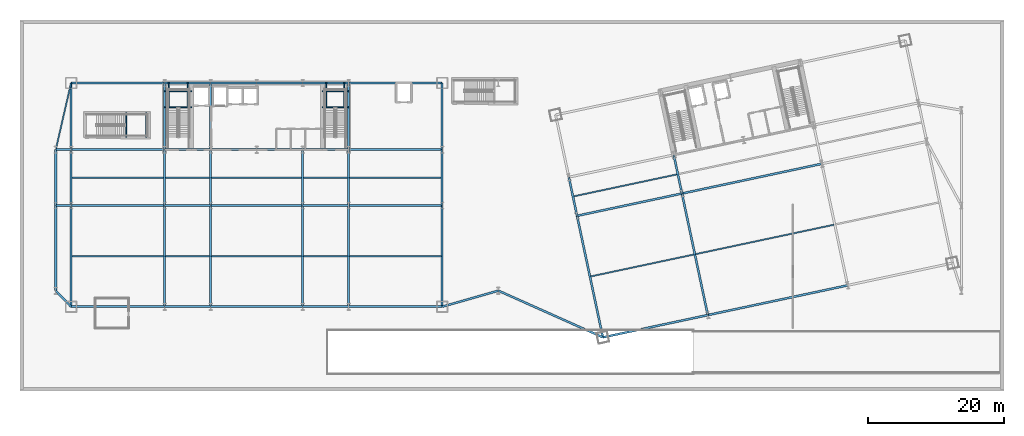
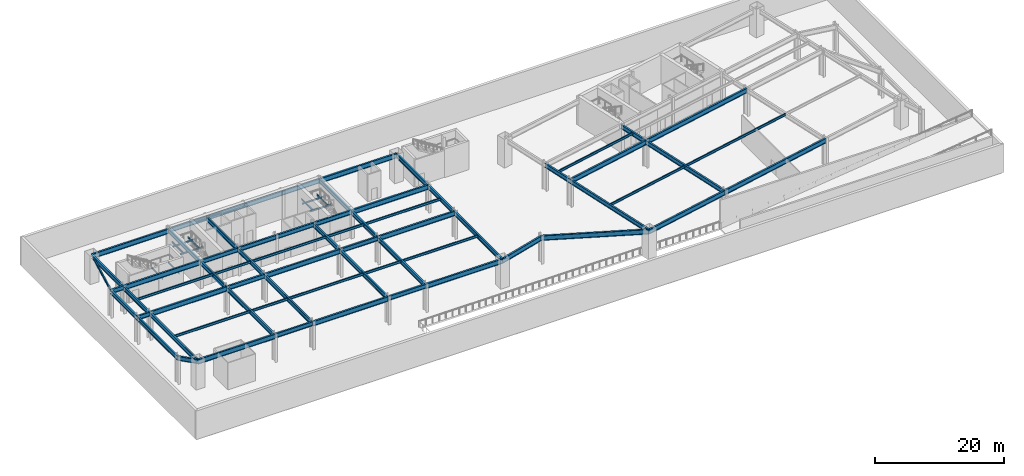
# One storey, part 3 of 16: 78 beams.
"""IFC4 building model written with IfcOpenShell, lengths in metres."""

import ifcopenshell
import ifcopenshell.guid

model = None  # the IFC model being written
_history = None  # IfcOwnerHistory: only IFC2X3 demands one
_inside = {}  # id of a spatial element -> (the spatial element, [elements in it])
_under = {}  # id of a project, library or spatial element -> (it, [spatial elements below it])
_declared = {}  # id of a project -> (the project, [libraries it declares])
_typed = {}  # id of a type object -> (the type object, [elements of that type])
_made_of = {}  # id of a material, layer set ... -> (it, [elements and type objects made of it])


def new_model(schema):
    """Start an empty IFC model of exactly this schema.

    Asked for "IFC4X3", IfcOpenShell would pick the latest addendum, in which some entities
    have other attributes; the version numbers below select the first issue.
    IFC2X3 requires an IfcOwnerHistory on every rooted entity: one is made here for all.
    """
    global model, _history
    if schema == "IFC4X3":
        model = ifcopenshell.file(schema_version=(4, 3, 0, 0))
    else:
        model = ifcopenshell.file(schema=schema)
    _inside.clear()
    _under.clear()
    _declared.clear()
    _typed.clear()
    _made_of.clear()
    _history = None
    if model.schema == "IFC2X3":
        org = make("IfcOrganization", Name="unknown")
        user = make(
            "IfcPersonAndOrganization",
            ThePerson=make("IfcPerson", FamilyName="unknown"),
            TheOrganization=org,
        )
        app = make(
            "IfcApplication",
            ApplicationDeveloper=org,
            Version="unknown",
            ApplicationFullName="unknown",
            ApplicationIdentifier="unknown",
        )
        _history = make(
            "IfcOwnerHistory",
            OwningUser=user,
            OwningApplication=app,
            ChangeAction="ADDED",
            CreationDate=0,
        )
    return model


def make(cls, **values):
    """One entity of the class cls with the attributes given. An attribute that is None is left unset."""
    return model.create_entity(
        cls, **{name: value for name, value in values.items() if value is not None}
    )


def rooted(cls, **values):
    """An entity with a GlobalId (a new one), such as an element, a storey or a relation."""
    return make(cls, GlobalId=ifcopenshell.guid.new(), OwnerHistory=_history, **values)


def si_unit(unit_type, name, prefix=None):
    """IfcSIUnit, for example si_unit("LENGTHUNIT", "METRE", prefix="MILLI")."""
    return make("IfcSIUnit", UnitType=unit_type, Prefix=prefix, Name=name)


def assignment(units):
    """IfcUnitAssignment: the units of a project."""
    return None if units is None else make("IfcUnitAssignment", Units=units)


def point(xyz):
    """IfcCartesianPoint."""
    return None if xyz is None else make("IfcCartesianPoint", Coordinates=xyz)


def direction(xyz):
    """IfcDirection."""
    return None if xyz is None else make("IfcDirection", DirectionRatios=xyz)


def frame(location, z_axis=None, x_axis=None):
    """IfcAxis2Placement3D, a coordinate frame: its origin and axes. An axis left out is left unset."""
    return make(
        "IfcAxis2Placement3D",
        Location=point(location),
        Axis=direction(z_axis),
        RefDirection=direction(x_axis),
    )


def frame_2d(location, x_axis=None):
    """IfcAxis2Placement2D, a coordinate frame in the plane: its origin and x axis."""
    return make(
        "IfcAxis2Placement2D", Location=point(location), RefDirection=direction(x_axis)
    )


def origin():
    """The frame at (0, 0, 0) with its axes left unset."""
    return frame((0.0, 0.0, 0.0))


def origin_2d():
    """The frame at (0, 0) in the plane with its x axis left unset."""
    return frame_2d((0.0, 0.0))


def place(relative_to, where):
    """IfcLocalPlacement: puts the frame where relative to a parent placement (None: the world)."""
    return make(
        "IfcLocalPlacement", PlacementRelTo=relative_to, RelativePlacement=where
    )


def context(
    kind, dimensions, precision=None, world=None, true_north=None, identifier=None
):
    """IfcGeometricRepresentationContext, for example the 3D "Model" context."""
    return make(
        "IfcGeometricRepresentationContext",
        ContextIdentifier=identifier,
        ContextType=kind,
        CoordinateSpaceDimension=dimensions,
        Precision=precision,
        WorldCoordinateSystem=world,
        TrueNorth=true_north,
    )


def subcontext(parent, identifier, kind, view, scale=None):
    """IfcGeometricRepresentationSubContext, for example "Body" below "Model"."""
    return make(
        "IfcGeometricRepresentationSubContext",
        ContextIdentifier=identifier,
        ContextType=kind,
        ParentContext=parent,
        TargetScale=scale,
        TargetView=view,
    )


def project(units=None, contexts=None):
    """IfcProject with its units and contexts."""
    return rooted(
        "IfcProject",
        Name="project",
        RepresentationContexts=contexts,
        UnitsInContext=assignment(units),
    )


def spatial(cls, under=None, at=None, **own):
    """A site, building, storey or space (cls), placed at a placement, below another one or the project."""
    s = rooted(cls, ObjectPlacement=at, **own)
    if under is not None:
        _under.setdefault(under.id(), (under, []))[1].append(s)
    return s


def profile(cls, at=None, kind="AREA", **sizes):
    """A parametric profile (cls). Its sizes go by their IFC names, for example OverallWidth=200.0."""
    return make(cls, ProfileType=kind, Position=at, **sizes)


def i_section(**sizes):
    """IfcIShapeProfileDef."""
    return profile("IfcIShapeProfileDef", **sizes)


def extrude(swept, where, along, depth):
    """IfcExtrudedAreaSolid: the profile swept, set in the frame where, extruded along a direction by depth."""
    return make(
        "IfcExtrudedAreaSolid",
        SweptArea=swept,
        Position=where,
        ExtrudedDirection=direction(along),
        Depth=depth,
    )


def shape(context_of_items, identifier, shape_type, items):
    """IfcShapeRepresentation: the items that make up one representation, for example the "Body"."""
    return make(
        "IfcShapeRepresentation",
        ContextOfItems=context_of_items,
        RepresentationIdentifier=identifier,
        RepresentationType=shape_type,
        Items=items,
    )


def material(Name=None, Category=None):
    """IfcMaterial."""
    return make("IfcMaterial", Name=Name, Category=Category)


def material_profile(
    of_material, cross_section, Name=None, Category=None, Priority=None
):
    """IfcMaterialProfile: a cross section and its material."""
    return make(
        "IfcMaterialProfile",
        Name=Name,
        Material=of_material,
        Profile=cross_section,
        Priority=Priority,
        Category=Category,
    )


def profile_set(profiles, Name=None, composite=None):
    """IfcMaterialProfileSet."""
    return make(
        "IfcMaterialProfileSet",
        Name=Name,
        MaterialProfiles=profiles,
        CompositeProfile=composite,
    )


def made_of(thing, what):
    """Note that an element or type object is made of a material, layer set ...; save() writes the relation."""
    if what is not None:
        _made_of.setdefault(what.id(), (what, []))[1].append(thing)
    return thing


def type_object(cls, material=None, **own):
    """A type object (cls), such as IfcWallType, which elements share."""
    return made_of(rooted(cls, **own), material)


def element(
    cls,
    number,
    at=None,
    inside=None,
    cuts=None,
    type_object=None,
    material=None,
    context=None,
    identifier="Body",
    shape_type=None,
    held_by="IfcProductDefinitionShape",
    body=None,
    shapes=None,
    **own,
):
    """One element of the class cls, such as IfcWall. Its Tag is "e" and its number.

    at: its placement. inside: the storey or other place that contains it. cuts: it is an
    opening in that element (IfcRelVoidsElement). A single representation is given by context,
    identifier, shape_type and body (its items); several are given by shapes. held_by: the class
    of the entity that holds the representations. save() writes the other relations.
    """
    e = rooted(cls, Tag="e%d" % number, ObjectPlacement=at, **own)
    if body is not None:
        shapes = [shape(context, identifier, shape_type, body)]
    if shapes is not None:
        e.Representation = make(held_by, Representations=shapes)
    if inside is not None:
        _inside.setdefault(inside.id(), (inside, []))[1].append(e)
    if cuts is not None:
        rooted(
            "IfcRelVoidsElement", RelatingBuildingElement=cuts, RelatedOpeningElement=e
        )
    if type_object is not None:
        _typed.setdefault(type_object.id(), (type_object, []))[1].append(e)
    return made_of(e, material)


def aggregate(whole, parts):
    """IfcRelAggregates: a whole, such as a stair, and the parts it consists of."""
    return rooted("IfcRelAggregates", RelatingObject=whole, RelatedObjects=parts)


def save(model, path):
    """Write the relations noted so far, then the file.

    IfcRelAggregates (storeys below a building ...), IfcRelContainedInSpatialStructure (elements
    in a storey), IfcRelDefinesByType, IfcRelAssociatesMaterial and IfcRelDeclares: one each for
    every whole, place, type object, material and project.
    """
    for whole, parts in _under.values():
        aggregate(whole, parts)
    for where, things in _inside.values():
        rooted(
            "IfcRelContainedInSpatialStructure",
            RelatedElements=things,
            RelatingStructure=where,
        )
    for kind, things in _typed.values():
        rooted("IfcRelDefinesByType", RelatedObjects=things, RelatingType=kind)
    for what, things in _made_of.values():
        rooted("IfcRelAssociatesMaterial", RelatedObjects=things, RelatingMaterial=what)
    for by, libraries in _declared.values():
        rooted("IfcRelDeclares", RelatingContext=by, RelatedDefinitions=libraries)
    model.write(path)


model = new_model("IFC4")

# Units and contexts
model_context = context("Model", 3, precision=1e-05, world=origin(), true_north=direction((0.0, 1.0)))
body_context = subcontext(model_context, "Body", "Model", "MODEL_VIEW")
ifc_project = project(units=[si_unit("LENGTHUNIT", "METRE"), si_unit("AREAUNIT", "SQUARE_METRE"), si_unit("VOLUMEUNIT", "CUBIC_METRE"), si_unit("PLANEANGLEUNIT", "RADIAN"), si_unit("MASSUNIT", "GRAM", prefix="KILO")], contexts=[model_context])

# Site, building, storey
site_placement = place(None, origin())
site = spatial("IfcSite", under=ifc_project, at=site_placement, CompositionType="ELEMENT")
building_placement = place(site_placement, origin())
building = spatial("IfcBuilding", under=site, at=building_placement, Name="Haevon Station Towers", CompositionType="ELEMENT")
storey_placement = place(building_placement, frame((0.0, 0.0, -5.39990234375)))
storey = spatial("IfcBuildingStorey", under=building, at=storey_placement, Name="B01", CompositionType="ELEMENT", Elevation=-5.39990234375)

# Beams
ifc_material = material(Name="Steel S355", Category="steel")
ifc_material_profile_1 = material_profile(ifc_material, i_section(OverallWidth=0.199951171875, OverallDepth=0.39990234375, WebThickness=0.008056640625, FlangeThickness=0.012939453125, at=origin_2d()), Name="H-400x200x8x13")
ifc_profile_set_1 = profile_set([ifc_material_profile_1], Name="Steel S355")
beam_type_1 = type_object("IfcBeamType", Name="BM-CANT400", PredefinedType="JOIST", material=ifc_profile_set_1)
beam_1_placement = place(storey_placement, frame((8.0, 38.199951171875, 4.89990234375), z_axis=(0.223768790916, 0.974642256529, 0.0), x_axis=(-0.974642256529, 0.223768790916, 0.0)))
element("IfcBeam", 1, at=beam_1_placement, inside=storey, type_object=beam_type_1, Name="BM-PODTERR-B01", PredefinedType="JOIST", context=body_context, shape_type="SweptSolid", body=[
    extrude(i_section(OverallWidth=0.199951171875, OverallDepth=0.39990234375, WebThickness=0.008056640625, FlangeThickness=0.012939453125, at=origin_2d()), origin(), (0.0, 0.0, 1.0), 10.054931640625),
])
ifc_material_profile_2 = material_profile(ifc_material, i_section(OverallWidth=0.199951171875, OverallDepth=0.449951171875, WebThickness=0.009033203125, FlangeThickness=0.013916015625, at=origin_2d()), Name="H-450x200x9x14")
ifc_profile_set_2 = profile_set([ifc_material_profile_2], Name="Steel S355")
beam_type_2 = type_object("IfcBeamType", Name="BM-J450", PredefinedType="JOIST", material=ifc_profile_set_2)
beam_2_placement = place(storey_placement, frame((10.360107421875, 22.574951171875, 4.875), z_axis=(1.0, 0.0, 0.0), x_axis=(0.0, 1.0, 0.0)))
element("IfcBeam", 2, at=beam_2_placement, inside=storey, type_object=beam_type_2, Name="BM-T1J-B01-01-01", PredefinedType="JOIST", context=body_context, shape_type="SweptSolid", body=[
    extrude(i_section(OverallWidth=0.199951171875, OverallDepth=0.449951171875, WebThickness=0.009033203125, FlangeThickness=0.013916015625, at=origin_2d()), origin(), (0.0, 0.0, 1.0), 13.52978515625),
])
beam_3_placement = place(storey_placement, frame((24.110107421875, 22.574951171875, 4.875), z_axis=(1.0, 0.0, 0.0), x_axis=(0.0, 1.0, 0.0)))
element("IfcBeam", 3, at=beam_3_placement, inside=storey, type_object=beam_type_2, Name="BM-T1J-B01-01-02", PredefinedType="JOIST", context=body_context, shape_type="SweptSolid", body=[
    extrude(i_section(OverallWidth=0.199951171875, OverallDepth=0.449951171875, WebThickness=0.009033203125, FlangeThickness=0.013916015625, at=origin_2d()), origin(), (0.0, 0.0, 1.0), 6.52978515625),
])
beam_4_placement = place(storey_placement, frame((30.860107421875, 22.574951171875, 4.875), z_axis=(1.0, 0.0, 0.0), x_axis=(0.0, 1.0, 0.0)))
element("IfcBeam", 4, at=beam_4_placement, inside=storey, type_object=beam_type_2, Name="BM-T1J-B01-01-03", PredefinedType="JOIST", context=body_context, shape_type="SweptSolid", body=[
    extrude(i_section(OverallWidth=0.199951171875, OverallDepth=0.449951171875, WebThickness=0.009033203125, FlangeThickness=0.013916015625, at=origin_2d()), origin(), (0.0, 0.0, 1.0), 13.27978515625),
])
beam_5_placement = place(storey_placement, frame((44.360107421875, 22.574951171875, 4.875), z_axis=(1.0, 0.0, 0.0), x_axis=(0.0, 1.0, 0.0)))
element("IfcBeam", 5, at=beam_5_placement, inside=storey, type_object=beam_type_2, Name="BM-T1J-B01-01-04", PredefinedType="JOIST", context=body_context, shape_type="SweptSolid", body=[
    extrude(i_section(OverallWidth=0.199951171875, OverallDepth=0.449951171875, WebThickness=0.009033203125, FlangeThickness=0.013916015625, at=origin_2d()), origin(), (0.0, 0.0, 1.0), 6.52978515625),
])
for number, where, z_axis, x_axis, name in (
    (6, (51.110107421875, 22.574951171875, 4.875), (1.0, 0.0, 0.0), (0.0, 1.0, 0.0), "BM-T1J-B01-01-05"),
    (7, (10.360107421875, 34.10009765625, 4.875), (1.0, 0.0, 0.0), (0.0, 1.0, 0.0), "BM-T1J-B01-02-01"),
):
    element("IfcBeam", number, at=place(storey_placement, frame(where, z_axis=z_axis, x_axis=x_axis)), inside=storey, type_object=beam_type_2, Name=name, PredefinedType="JOIST", context=body_context, shape_type="SweptSolid", body=[
        extrude(i_section(OverallWidth=0.199951171875, OverallDepth=0.449951171875, WebThickness=0.009033203125, FlangeThickness=0.013916015625, at=origin_2d()), origin(), (0.0, 0.0, 1.0), 13.52978515625),
    ])
beam_6_placement = place(storey_placement, frame((24.110107421875, 34.10009765625, 4.875), z_axis=(1.0, 0.0, 0.0), x_axis=(0.0, 1.0, 0.0)))
element("IfcBeam", 8, at=beam_6_placement, inside=storey, type_object=beam_type_2, Name="BM-T1J-B01-02-02", PredefinedType="JOIST", context=body_context, shape_type="SweptSolid", body=[
    extrude(i_section(OverallWidth=0.199951171875, OverallDepth=0.449951171875, WebThickness=0.009033203125, FlangeThickness=0.013916015625, at=origin_2d()), origin(), (0.0, 0.0, 1.0), 6.52978515625),
])
beam_7_placement = place(storey_placement, frame((30.860107421875, 34.10009765625, 4.875), z_axis=(1.0, 0.0, 0.0), x_axis=(0.0, 1.0, 0.0)))
element("IfcBeam", 9, at=beam_7_placement, inside=storey, type_object=beam_type_2, Name="BM-T1J-B01-02-03", PredefinedType="JOIST", context=body_context, shape_type="SweptSolid", body=[
    extrude(i_section(OverallWidth=0.199951171875, OverallDepth=0.449951171875, WebThickness=0.009033203125, FlangeThickness=0.013916015625, at=origin_2d()), origin(), (0.0, 0.0, 1.0), 13.27978515625),
])
beam_8_placement = place(storey_placement, frame((44.360107421875, 34.10009765625, 4.875), z_axis=(1.0, 0.0, 0.0), x_axis=(0.0, 1.0, 0.0)))
element("IfcBeam", 10, at=beam_8_placement, inside=storey, type_object=beam_type_2, Name="BM-T1J-B01-02-04", PredefinedType="JOIST", context=body_context, shape_type="SweptSolid", body=[
    extrude(i_section(OverallWidth=0.199951171875, OverallDepth=0.449951171875, WebThickness=0.009033203125, FlangeThickness=0.013916015625, at=origin_2d()), origin(), (0.0, 0.0, 1.0), 6.52978515625),
])
beam_9_placement = place(storey_placement, frame((51.110107421875, 34.10009765625, 4.875), z_axis=(1.0, 0.0, 0.0), x_axis=(0.0, 1.0, 0.0)))
element("IfcBeam", 11, at=beam_9_placement, inside=storey, type_object=beam_type_2, Name="BM-T1J-B01-02-05", PredefinedType="JOIST", context=body_context, shape_type="SweptSolid", body=[
    extrude(i_section(OverallWidth=0.199951171875, OverallDepth=0.449951171875, WebThickness=0.009033203125, FlangeThickness=0.013916015625, at=origin_2d()), origin(), (0.0, 0.0, 1.0), 13.52978515625),
])
beam_10_placement = place(storey_placement, frame((86.55712890625, 19.591796875, 4.875), z_axis=(0.978145944065, 0.207919484679, 0.0), x_axis=(-0.207919484679, 0.978145944065, 0.0)))
element("IfcBeam", 12, at=beam_10_placement, inside=storey, type_object=beam_type_2, Name="BM-T2J-B01-01-01", PredefinedType="JOIST", context=body_context, shape_type="SweptSolid", body=[
    extrude(i_section(OverallWidth=0.199951171875, OverallDepth=0.449951171875, WebThickness=0.009033203125, FlangeThickness=0.013916015625, at=origin_2d()), origin(), (0.0, 0.0, 1.0), 15.530029296875),
])
beam_11_placement = place(storey_placement, frame((101.963134765625, 22.866455078125, 4.875), z_axis=(0.97814804034, 0.207909622623, 0.0), x_axis=(-0.207909622623, 0.97814804034, 0.0)))
element("IfcBeam", 13, at=beam_11_placement, inside=storey, type_object=beam_type_2, Name="BM-T2J-B01-01-02", PredefinedType="JOIST", context=body_context, shape_type="SweptSolid", body=[
    extrude(i_section(OverallWidth=0.199951171875, OverallDepth=0.449951171875, WebThickness=0.009033203125, FlangeThickness=0.013916015625, at=origin_2d()), origin(), (0.0, 0.0, 1.0), 20.77978515625),
])
beam_12_placement = place(storey_placement, frame((84.05712890625, 31.35400390625, 4.875), z_axis=(0.978145944065, 0.207919484679, 0.0), x_axis=(-0.207919484679, 0.978145944065, 0.0)))
element("IfcBeam", 14, at=beam_12_placement, inside=storey, type_object=beam_type_2, Name="BM-T2J-B01-02-01", PredefinedType="JOIST", context=body_context, shape_type="SweptSolid", body=[
    extrude(i_section(OverallWidth=0.199951171875, OverallDepth=0.449951171875, WebThickness=0.009033203125, FlangeThickness=0.013916015625, at=origin_2d()), origin(), (0.0, 0.0, 1.0), 15.530029296875),
])
ifc_material_profile_3 = material_profile(ifc_material, i_section(OverallWidth=0.14990234375, OverallDepth=0.300048828125, WebThickness=0.006591796875, FlangeThickness=0.009033203125, at=origin_2d()), Name="H-300x150x6.5x9")
ifc_profile_set_3 = profile_set([ifc_material_profile_3], Name="Steel S355")
beam_type_3 = type_object("IfcBeamType", Name="BM-LIN300", PredefinedType="LINTEL", material=ifc_profile_set_3)
for number, where, z_axis, x_axis, name in (
    (15, (18.3740234375, 40.0, 2.349853515625), (0.0, 1.0, 0.0), (-1.0, 0.0, 0.0), "BM-ST5L-B01-1-W"),
    (16, (21.320068359375, 40.0, 2.349853515625), (0.0, 1.0, 0.0), (-1.0, 0.0, 0.0), "BM-ST5L-B01-1-E"),
):
    element("IfcBeam", number, at=place(storey_placement, frame(where, z_axis=z_axis, x_axis=x_axis)), inside=storey, type_object=beam_type_3, Name=name, PredefinedType="LINTEL", context=body_context, shape_type="SweptSolid", body=[
        extrude(i_section(OverallWidth=0.14990234375, OverallDepth=0.300048828125, WebThickness=0.006591796875, FlangeThickness=0.009033203125, at=origin_2d()), origin(), (0.0, 0.0, 1.0), 3.60009765625),
    ])
for number, where, z_axis, x_axis, name in (
    (17, (24.0, 44.424072265625, 2.349853515625), (1.0, 0.0, 0.0), (0.0, 1.0, 0.0), "BM-ST1L-B01-1-S"),
    (18, (24.0, 46.820068359375, 2.349853515625), (1.0, 0.0, 0.0), (0.0, 1.0, 0.0), "BM-ST1L-B01-1-N"),
):
    element("IfcBeam", number, at=place(storey_placement, frame(where, z_axis=z_axis, x_axis=x_axis)), inside=storey, type_object=beam_type_3, Name=name, PredefinedType="LINTEL", context=body_context, shape_type="SweptSolid", body=[
        extrude(i_section(OverallWidth=0.14990234375, OverallDepth=0.300048828125, WebThickness=0.006591796875, FlangeThickness=0.009033203125, at=origin_2d()), origin(), (0.0, 0.0, 1.0), 3.949951171875),
    ])
for number, where, z_axis, x_axis, name in (
    (19, (24.60009765625, 44.424072265625, 2.349853515625), (0.0, 1.0, 0.0), (-1.0, 0.0, 0.0), "BM-ST1L-B01-1-W"),
    (20, (27.35009765625, 44.424072265625, 2.349853515625), (0.0, 1.0, 0.0), (-1.0, 0.0, 0.0), "BM-ST1L-B01-1-E"),
):
    element("IfcBeam", number, at=place(storey_placement, frame(where, z_axis=z_axis, x_axis=x_axis)), inside=storey, type_object=beam_type_3, Name=name, PredefinedType="LINTEL", context=body_context, shape_type="SweptSolid", body=[
        extrude(i_section(OverallWidth=0.14990234375, OverallDepth=0.300048828125, WebThickness=0.006591796875, FlangeThickness=0.009033203125, at=origin_2d()), origin(), (0.0, 0.0, 1.0), 3.575927734375),
    ])
for number, where, z_axis, x_axis, name in (
    (21, (47.14990234375, 44.424072265625, 2.349853515625), (1.0, 0.0, 0.0), (0.0, 1.0, 0.0), "BM-ST2L-B01-1-S"),
    (22, (47.14990234375, 46.820068359375, 2.349853515625), (1.0, 0.0, 0.0), (0.0, 1.0, 0.0), "BM-ST2L-B01-1-N"),
):
    element("IfcBeam", number, at=place(storey_placement, frame(where, z_axis=z_axis, x_axis=x_axis)), inside=storey, type_object=beam_type_3, Name=name, PredefinedType="LINTEL", context=body_context, shape_type="SweptSolid", body=[
        extrude(i_section(OverallWidth=0.14990234375, OverallDepth=0.300048828125, WebThickness=0.006591796875, FlangeThickness=0.009033203125, at=origin_2d()), origin(), (0.0, 0.0, 1.0), 3.85009765625),
    ])
for number, where, z_axis, x_axis, name in (
    (23, (47.75, 44.424072265625, 2.349853515625), (0.0, 1.0, 0.0), (-1.0, 0.0, 0.0), "BM-ST2L-B01-1-W"),
    (24, (50.39990234375, 44.424072265625, 2.349853515625), (0.0, 1.0, 0.0), (-1.0, 0.0, 0.0), "BM-ST2L-B01-1-E"),
):
    element("IfcBeam", number, at=place(storey_placement, frame(where, z_axis=z_axis, x_axis=x_axis)), inside=storey, type_object=beam_type_3, Name=name, PredefinedType="LINTEL", context=body_context, shape_type="SweptSolid", body=[
        extrude(i_section(OverallWidth=0.14990234375, OverallDepth=0.300048828125, WebThickness=0.006591796875, FlangeThickness=0.009033203125, at=origin_2d()), origin(), (0.0, 0.0, 1.0), 3.575927734375),
    ])
ifc_material_profile_4 = material_profile(ifc_material, i_section(OverallWidth=0.300048828125, OverallDepth=0.800048828125, WebThickness=0.013916015625, FlangeThickness=0.02587890625, at=origin_2d()), Name="H-800x300x14x26")
ifc_profile_set_4 = profile_set([ifc_material_profile_4], Name="Steel S355")
beam_type_4 = type_object("IfcBeamType", Name="BM-PG800", PredefinedType="BEAM", material=ifc_profile_set_4)
for number, where, z_axis, x_axis, name in (
    (25, (24.0, 15.14990234375, 4.699951171875), (1.0, 0.0, 0.0), (0.0, 1.0, 0.0), "BM-T1X-B01-01-02"),
    (26, (44.25, 15.14990234375, 4.699951171875), (1.0, 0.0, 0.0), (0.0, 1.0, 0.0), "BM-T1X-B01-01-05"),
    (27, (24.0, 30.0, 4.699951171875), (1.0, 0.0, 0.0), (0.0, 1.0, 0.0), "BM-T1X-B01-02-02"),
    (28, (44.25, 30.0, 4.699951171875), (1.0, 0.0, 0.0), (0.0, 1.0, 0.0), "BM-T1X-B01-02-05"),
    (29, (24.0, 38.199951171875, 4.699951171875), (1.0, 0.0, 0.0), (0.0, 1.0, 0.0), "BM-T1X-B01-03-02"),
    (30, (30.75, 38.199951171875, 4.699951171875), (1.0, 0.0, 0.0), (0.0, 1.0, 0.0), "BM-T1X-B01-03-03"),
    (31, (37.5, 38.199951171875, 4.699951171875), (1.0, 0.0, 0.0), (0.0, 1.0, 0.0), "BM-T1X-B01-03-04"),
    (32, (44.25, 38.199951171875, 4.699951171875), (1.0, 0.0, 0.0), (0.0, 1.0, 0.0), "BM-T1X-B01-03-05"),
    (33, (24.0, 48.0, 4.699951171875), (1.0, 0.0, 0.0), (0.0, 1.0, 0.0), "BM-T1X-B01-04-02"),
    (34, (30.75, 48.0, 4.699951171875), (1.0, 0.0, 0.0), (0.0, 1.0, 0.0), "BM-T1X-B01-04-03"),
    (35, (37.5, 48.0, 4.699951171875), (1.0, 0.0, 0.0), (0.0, 1.0, 0.0), "BM-T1X-B01-04-04"),
    (36, (44.25, 48.0, 4.699951171875), (1.0, 0.0, 0.0), (0.0, 1.0, 0.0), "BM-T1X-B01-04-05"),
):
    element("IfcBeam", number, at=place(storey_placement, frame(where, z_axis=z_axis, x_axis=x_axis)), inside=storey, type_object=beam_type_4, Name=name, PredefinedType="BEAM", context=body_context, shape_type="SweptSolid", body=[
        extrude(i_section(OverallWidth=0.300048828125, OverallDepth=0.800048828125, WebThickness=0.013916015625, FlangeThickness=0.02587890625, at=origin_2d()), origin(), (0.0, 0.0, 1.0), 6.75),
    ])
beam_13_placement = place(storey_placement, frame((10.25, 15.14990234375, 4.699951171875), z_axis=(0.0, 1.0, 0.0), x_axis=(-1.0, 0.0, 0.0)))
element("IfcBeam", 37, at=beam_13_placement, inside=storey, type_object=beam_type_4, Name="BM-T1Y-B01-01-01", PredefinedType="BEAM", context=body_context, shape_type="SweptSolid", body=[
    extrude(i_section(OverallWidth=0.300048828125, OverallDepth=0.800048828125, WebThickness=0.013916015625, FlangeThickness=0.02587890625, at=origin_2d()), origin(), (0.0, 0.0, 1.0), 14.85009765625),
])
beam_14_placement = place(storey_placement, frame((10.25, 30.0, 4.699951171875), z_axis=(0.0, 1.0, 0.0), x_axis=(-1.0, 0.0, 0.0)))
element("IfcBeam", 38, at=beam_14_placement, inside=storey, type_object=beam_type_4, Name="BM-T1Y-B01-01-02", PredefinedType="BEAM", context=body_context, shape_type="SweptSolid", body=[
    extrude(i_section(OverallWidth=0.300048828125, OverallDepth=0.800048828125, WebThickness=0.013916015625, FlangeThickness=0.02587890625, at=origin_2d()), origin(), (0.0, 0.0, 1.0), 8.199951171875),
])
beam_15_placement = place(storey_placement, frame((10.25, 38.199951171875, 4.699951171875), z_axis=(0.0, 1.0, 0.0), x_axis=(-1.0, 0.0, 0.0)))
element("IfcBeam", 39, at=beam_15_placement, inside=storey, type_object=beam_type_4, Name="BM-T1Y-B01-01-03", PredefinedType="BEAM", context=body_context, shape_type="SweptSolid", body=[
    extrude(i_section(OverallWidth=0.300048828125, OverallDepth=0.800048828125, WebThickness=0.013916015625, FlangeThickness=0.02587890625, at=origin_2d()), origin(), (0.0, 0.0, 1.0), 9.800048828125),
])
beam_16_placement = place(storey_placement, frame((24.0, 15.14990234375, 4.699951171875), z_axis=(0.0, 1.0, 0.0), x_axis=(-1.0, 0.0, 0.0)))
element("IfcBeam", 40, at=beam_16_placement, inside=storey, type_object=beam_type_4, Name="BM-T1Y-B01-02-01", PredefinedType="BEAM", context=body_context, shape_type="SweptSolid", body=[
    extrude(i_section(OverallWidth=0.300048828125, OverallDepth=0.800048828125, WebThickness=0.013916015625, FlangeThickness=0.02587890625, at=origin_2d()), origin(), (0.0, 0.0, 1.0), 14.85009765625),
])
beam_17_placement = place(storey_placement, frame((24.0, 30.0, 4.699951171875), z_axis=(0.0, 1.0, 0.0), x_axis=(-1.0, 0.0, 0.0)))
element("IfcBeam", 41, at=beam_17_placement, inside=storey, type_object=beam_type_4, Name="BM-T1Y-B01-02-02", PredefinedType="BEAM", context=body_context, shape_type="SweptSolid", body=[
    extrude(i_section(OverallWidth=0.300048828125, OverallDepth=0.800048828125, WebThickness=0.013916015625, FlangeThickness=0.02587890625, at=origin_2d()), origin(), (0.0, 0.0, 1.0), 8.199951171875),
])
beam_18_placement = place(storey_placement, frame((24.0, 38.199951171875, 4.699951171875), z_axis=(0.0, 1.0, 0.0), x_axis=(-1.0, 0.0, 0.0)))
element("IfcBeam", 42, at=beam_18_placement, inside=storey, type_object=beam_type_4, Name="BM-T1Y-B01-02-03", PredefinedType="BEAM", context=body_context, shape_type="SweptSolid", body=[
    extrude(i_section(OverallWidth=0.300048828125, OverallDepth=0.800048828125, WebThickness=0.013916015625, FlangeThickness=0.02587890625, at=origin_2d()), origin(), (0.0, 0.0, 1.0), 9.800048828125),
])
beam_19_placement = place(storey_placement, frame((30.75, 15.14990234375, 4.699951171875), z_axis=(0.0, 1.0, 0.0), x_axis=(-1.0, 0.0, 0.0)))
element("IfcBeam", 43, at=beam_19_placement, inside=storey, type_object=beam_type_4, Name="BM-T1Y-B01-03-01", PredefinedType="BEAM", context=body_context, shape_type="SweptSolid", body=[
    extrude(i_section(OverallWidth=0.300048828125, OverallDepth=0.800048828125, WebThickness=0.013916015625, FlangeThickness=0.02587890625, at=origin_2d()), origin(), (0.0, 0.0, 1.0), 14.85009765625),
])
beam_20_placement = place(storey_placement, frame((30.75, 30.0, 4.699951171875), z_axis=(0.0, 1.0, 0.0), x_axis=(-1.0, 0.0, 0.0)))
element("IfcBeam", 44, at=beam_20_placement, inside=storey, type_object=beam_type_4, Name="BM-T1Y-B01-03-02", PredefinedType="BEAM", context=body_context, shape_type="SweptSolid", body=[
    extrude(i_section(OverallWidth=0.300048828125, OverallDepth=0.800048828125, WebThickness=0.013916015625, FlangeThickness=0.02587890625, at=origin_2d()), origin(), (0.0, 0.0, 1.0), 8.199951171875),
])
beam_21_placement = place(storey_placement, frame((30.75, 38.199951171875, 4.699951171875), z_axis=(0.0, 1.0, 0.0), x_axis=(-1.0, 0.0, 0.0)))
element("IfcBeam", 45, at=beam_21_placement, inside=storey, type_object=beam_type_4, Name="BM-T1Y-B01-03-03", PredefinedType="BEAM", context=body_context, shape_type="SweptSolid", body=[
    extrude(i_section(OverallWidth=0.300048828125, OverallDepth=0.800048828125, WebThickness=0.013916015625, FlangeThickness=0.02587890625, at=origin_2d()), origin(), (0.0, 0.0, 1.0), 9.800048828125),
])
beam_22_placement = place(storey_placement, frame((44.25, 15.14990234375, 4.699951171875), z_axis=(0.0, 1.0, 0.0), x_axis=(-1.0, 0.0, 0.0)))
element("IfcBeam", 46, at=beam_22_placement, inside=storey, type_object=beam_type_4, Name="BM-T1Y-B01-05-01", PredefinedType="BEAM", context=body_context, shape_type="SweptSolid", body=[
    extrude(i_section(OverallWidth=0.300048828125, OverallDepth=0.800048828125, WebThickness=0.013916015625, FlangeThickness=0.02587890625, at=origin_2d()), origin(), (0.0, 0.0, 1.0), 14.85009765625),
])
beam_23_placement = place(storey_placement, frame((44.25, 30.0, 4.699951171875), z_axis=(0.0, 1.0, 0.0), x_axis=(-1.0, 0.0, 0.0)))
element("IfcBeam", 47, at=beam_23_placement, inside=storey, type_object=beam_type_4, Name="BM-T1Y-B01-05-02", PredefinedType="BEAM", context=body_context, shape_type="SweptSolid", body=[
    extrude(i_section(OverallWidth=0.300048828125, OverallDepth=0.800048828125, WebThickness=0.013916015625, FlangeThickness=0.02587890625, at=origin_2d()), origin(), (0.0, 0.0, 1.0), 8.199951171875),
])
beam_24_placement = place(storey_placement, frame((51.0, 15.14990234375, 4.699951171875), z_axis=(0.0, 1.0, 0.0), x_axis=(-1.0, 0.0, 0.0)))
element("IfcBeam", 48, at=beam_24_placement, inside=storey, type_object=beam_type_4, Name="BM-T1Y-B01-06-01", PredefinedType="BEAM", context=body_context, shape_type="SweptSolid", body=[
    extrude(i_section(OverallWidth=0.300048828125, OverallDepth=0.800048828125, WebThickness=0.013916015625, FlangeThickness=0.02587890625, at=origin_2d()), origin(), (0.0, 0.0, 1.0), 14.85009765625),
])
beam_25_placement = place(storey_placement, frame((51.0, 30.0, 4.699951171875), z_axis=(0.0, 1.0, 0.0), x_axis=(-1.0, 0.0, 0.0)))
element("IfcBeam", 49, at=beam_25_placement, inside=storey, type_object=beam_type_4, Name="BM-T1Y-B01-06-02", PredefinedType="BEAM", context=body_context, shape_type="SweptSolid", body=[
    extrude(i_section(OverallWidth=0.300048828125, OverallDepth=0.800048828125, WebThickness=0.013916015625, FlangeThickness=0.02587890625, at=origin_2d()), origin(), (0.0, 0.0, 1.0), 8.199951171875),
])
beam_26_placement = place(storey_placement, frame((51.0, 38.199951171875, 4.699951171875), z_axis=(0.0, 1.0, 0.0), x_axis=(-1.0, 0.0, 0.0)))
element("IfcBeam", 50, at=beam_26_placement, inside=storey, type_object=beam_type_4, Name="BM-T1Y-B01-06-03", PredefinedType="BEAM", context=body_context, shape_type="SweptSolid", body=[
    extrude(i_section(OverallWidth=0.300048828125, OverallDepth=0.800048828125, WebThickness=0.013916015625, FlangeThickness=0.02587890625, at=origin_2d()), origin(), (0.0, 0.0, 1.0), 9.800048828125),
])
beam_27_placement = place(storey_placement, frame((64.75, 15.14990234375, 4.699951171875), z_axis=(0.0, 1.0, 0.0), x_axis=(-1.0, 0.0, 0.0)))
element("IfcBeam", 51, at=beam_27_placement, inside=storey, type_object=beam_type_4, Name="BM-T1Y-B01-07-01", PredefinedType="BEAM", context=body_context, shape_type="SweptSolid", body=[
    extrude(i_section(OverallWidth=0.300048828125, OverallDepth=0.800048828125, WebThickness=0.013916015625, FlangeThickness=0.02587890625, at=origin_2d()), origin(), (0.0, 0.0, 1.0), 14.85009765625),
])
beam_28_placement = place(storey_placement, frame((64.75, 30.0, 4.699951171875), z_axis=(0.0, 1.0, 0.0), x_axis=(-1.0, 0.0, 0.0)))
element("IfcBeam", 52, at=beam_28_placement, inside=storey, type_object=beam_type_4, Name="BM-T1Y-B01-07-02", PredefinedType="BEAM", context=body_context, shape_type="SweptSolid", body=[
    extrude(i_section(OverallWidth=0.300048828125, OverallDepth=0.800048828125, WebThickness=0.013916015625, FlangeThickness=0.02587890625, at=origin_2d()), origin(), (0.0, 0.0, 1.0), 8.199951171875),
])
beam_29_placement = place(storey_placement, frame((64.75, 38.199951171875, 4.699951171875), z_axis=(0.0, 1.0, 0.0), x_axis=(-1.0, 0.0, 0.0)))
element("IfcBeam", 53, at=beam_29_placement, inside=storey, type_object=beam_type_4, Name="BM-T1Y-B01-07-03", PredefinedType="BEAM", context=body_context, shape_type="SweptSolid", body=[
    extrude(i_section(OverallWidth=0.300048828125, OverallDepth=0.800048828125, WebThickness=0.013916015625, FlangeThickness=0.02587890625, at=origin_2d()), origin(), (0.0, 0.0, 1.0), 9.800048828125),
])
beam_30_placement = place(storey_placement, frame((88.346923828125, 10.643310546875, 4.699951171875), z_axis=(-0.207912673377, 0.978147391884, 0.0), x_axis=(-0.978147391884, -0.207912673377, 0.0)))
element("IfcBeam", 54, at=beam_30_placement, inside=storey, type_object=beam_type_4, Name="BM-T2V-B01-01-01", PredefinedType="BEAM", context=body_context, shape_type="SweptSolid", body=[
    extrude(i_section(OverallWidth=0.300048828125, OverallDepth=0.800048828125, WebThickness=0.013916015625, FlangeThickness=0.02587890625, at=origin_2d()), origin(), (0.0, 0.0, 1.0), 18.250244140625),
])
beam_31_placement = place(storey_placement, frame((84.552490234375, 28.49462890625, 4.699951171875), z_axis=(-0.207944843707, 0.978140553282, 0.0), x_axis=(-0.978140553282, -0.207944843707, 0.0)))
element("IfcBeam", 55, at=beam_31_placement, inside=storey, type_object=beam_type_4, Name="BM-T2V-B01-01-02", PredefinedType="BEAM", context=body_context, shape_type="SweptSolid", body=[
    extrude(i_section(OverallWidth=0.300048828125, OverallDepth=0.800048828125, WebThickness=0.013916015625, FlangeThickness=0.02587890625, at=origin_2d()), origin(), (0.0, 0.0, 1.0), 5.7998046875),
])
beam_32_placement = place(storey_placement, frame((103.752685546875, 13.91796875, 4.699951171875), z_axis=(-0.207915393978, 0.978146813595, 0.0), x_axis=(-0.978146813595, -0.207915393978, 0.0)))
element("IfcBeam", 56, at=beam_32_placement, inside=storey, type_object=beam_type_4, Name="BM-T2V-B01-02-01", PredefinedType="BEAM", context=body_context, shape_type="SweptSolid", body=[
    extrude(i_section(OverallWidth=0.300048828125, OverallDepth=0.800048828125, WebThickness=0.013916015625, FlangeThickness=0.02587890625, at=origin_2d()), origin(), (0.0, 0.0, 1.0), 18.25),
])
beam_33_placement = place(storey_placement, frame((99.958251953125, 31.76904296875, 4.699951171875), z_axis=(-0.207896009217, 0.97815093383, 0.0), x_axis=(-0.97815093383, -0.207896009217, 0.0)))
element("IfcBeam", 57, at=beam_33_placement, inside=storey, type_object=beam_type_4, Name="BM-T2V-B01-02-02", PredefinedType="BEAM", context=body_context, shape_type="SweptSolid", body=[
    extrude(i_section(OverallWidth=0.300048828125, OverallDepth=0.800048828125, WebThickness=0.013916015625, FlangeThickness=0.02587890625, at=origin_2d()), origin(), (0.0, 0.0, 1.0), 5.800048828125),
])
beam_34_placement = place(storey_placement, frame((8.0, 17.5, 4.699951171875), z_axis=(0.691556505419, -0.722322365577, 0.0), x_axis=(0.722322365577, 0.691556505419, 0.0)))
element("IfcBeam", 58, at=beam_34_placement, inside=storey, type_object=beam_type_4, Name="BM-PODW-B01-1", PredefinedType="BEAM", context=body_context, shape_type="SweptSolid", body=[
    extrude(i_section(OverallWidth=0.300048828125, OverallDepth=0.800048828125, WebThickness=0.013916015625, FlangeThickness=0.02587890625, at=origin_2d()), origin(), (0.0, 0.0, 1.0), 3.25341796875),
])
for number, where, z_axis, x_axis, name in (
    (59, (8.0, 30.0, 4.699951171875), (1.0, 0.0, 0.0), (0.0, 1.0, 0.0), "BM-PODW-B01-2"),
    (60, (8.0, 38.199951171875, 4.699951171875), (1.0, 0.0, 0.0), (0.0, 1.0, 0.0), "BM-PODW-B01-3"),
):
    element("IfcBeam", number, at=place(storey_placement, frame(where, z_axis=z_axis, x_axis=x_axis)), inside=storey, type_object=beam_type_4, Name=name, PredefinedType="BEAM", context=body_context, shape_type="SweptSolid", body=[
        extrude(i_section(OverallWidth=0.300048828125, OverallDepth=0.800048828125, WebThickness=0.013916015625, FlangeThickness=0.02587890625, at=origin_2d()), origin(), (0.0, 0.0, 1.0), 2.25),
    ])
beam_35_placement = place(storey_placement, frame((8.0, 17.5, 4.699951171875), z_axis=(0.0, 1.0, 0.0), x_axis=(-1.0, 0.0, 0.0)))
element("IfcBeam", 61, at=beam_35_placement, inside=storey, type_object=beam_type_4, Name="BM-PODNS-B01-W1", PredefinedType="BEAM", context=body_context, shape_type="SweptSolid", body=[
    extrude(i_section(OverallWidth=0.300048828125, OverallDepth=0.800048828125, WebThickness=0.013916015625, FlangeThickness=0.02587890625, at=origin_2d()), origin(), (0.0, 0.0, 1.0), 12.5),
])
beam_36_placement = place(storey_placement, frame((8.0, 30.0, 4.699951171875), z_axis=(0.0, 1.0, 0.0), x_axis=(-1.0, 0.0, 0.0)))
element("IfcBeam", 62, at=beam_36_placement, inside=storey, type_object=beam_type_4, Name="BM-PODNS-B01-W2", PredefinedType="BEAM", context=body_context, shape_type="SweptSolid", body=[
    extrude(i_section(OverallWidth=0.300048828125, OverallDepth=0.800048828125, WebThickness=0.013916015625, FlangeThickness=0.02587890625, at=origin_2d()), origin(), (0.0, 0.0, 1.0), 8.199951171875),
])
ifc_material_profile_5 = material_profile(ifc_material, i_section(OverallWidth=0.300048828125, OverallDepth=0.89990234375, WebThickness=0.01611328125, FlangeThickness=0.028076171875, at=origin_2d()), Name="H-900x300x16x28")
ifc_profile_set_5 = profile_set([ifc_material_profile_5], Name="Steel S355")
beam_type_5 = type_object("IfcBeamType", Name="BM-PG900", PredefinedType="BEAM", material=ifc_profile_set_5)
beam_37_placement = place(storey_placement, frame((10.25, 15.14990234375, 4.64990234375), z_axis=(1.0, 0.0, 0.0), x_axis=(0.0, 1.0, 0.0)))
element("IfcBeam", 63, at=beam_37_placement, inside=storey, type_object=beam_type_5, Name="BM-T1X-B01-01-01", PredefinedType="BEAM", context=body_context, shape_type="SweptSolid", body=[
    extrude(i_section(OverallWidth=0.300048828125, OverallDepth=0.89990234375, WebThickness=0.01611328125, FlangeThickness=0.028076171875, at=origin_2d()), origin(), (0.0, 0.0, 1.0), 13.75),
])
beam_38_placement = place(storey_placement, frame((30.75, 15.14990234375, 4.64990234375), z_axis=(1.0, 0.0, 0.0), x_axis=(0.0, 1.0, 0.0)))
element("IfcBeam", 64, at=beam_38_placement, inside=storey, type_object=beam_type_5, Name="BM-T1X-B01-01-03", PredefinedType="BEAM", context=body_context, shape_type="SweptSolid", body=[
    extrude(i_section(OverallWidth=0.300048828125, OverallDepth=0.89990234375, WebThickness=0.01611328125, FlangeThickness=0.028076171875, at=origin_2d()), origin(), (0.0, 0.0, 1.0), 13.5),
])
for number, where, z_axis, x_axis, name in (
    (65, (51.0, 15.14990234375, 4.64990234375), (1.0, 0.0, 0.0), (0.0, 1.0, 0.0), "BM-T1X-B01-01-06"),
    (66, (10.25, 30.0, 4.64990234375), (1.0, 0.0, 0.0), (0.0, 1.0, 0.0), "BM-T1X-B01-02-01"),
):
    element("IfcBeam", number, at=place(storey_placement, frame(where, z_axis=z_axis, x_axis=x_axis)), inside=storey, type_object=beam_type_5, Name=name, PredefinedType="BEAM", context=body_context, shape_type="SweptSolid", body=[
        extrude(i_section(OverallWidth=0.300048828125, OverallDepth=0.89990234375, WebThickness=0.01611328125, FlangeThickness=0.028076171875, at=origin_2d()), origin(), (0.0, 0.0, 1.0), 13.75),
    ])
beam_39_placement = place(storey_placement, frame((30.75, 30.0, 4.64990234375), z_axis=(1.0, 0.0, 0.0), x_axis=(0.0, 1.0, 0.0)))
element("IfcBeam", 67, at=beam_39_placement, inside=storey, type_object=beam_type_5, Name="BM-T1X-B01-02-03", PredefinedType="BEAM", context=body_context, shape_type="SweptSolid", body=[
    extrude(i_section(OverallWidth=0.300048828125, OverallDepth=0.89990234375, WebThickness=0.01611328125, FlangeThickness=0.028076171875, at=origin_2d()), origin(), (0.0, 0.0, 1.0), 13.5),
])
for number, where, z_axis, x_axis, name in (
    (68, (51.0, 30.0, 4.64990234375), (1.0, 0.0, 0.0), (0.0, 1.0, 0.0), "BM-T1X-B01-02-06"),
    (69, (10.25, 38.199951171875, 4.64990234375), (1.0, 0.0, 0.0), (0.0, 1.0, 0.0), "BM-T1X-B01-03-01"),
    (70, (51.0, 38.199951171875, 4.64990234375), (1.0, 0.0, 0.0), (0.0, 1.0, 0.0), "BM-T1X-B01-03-06"),
    (71, (10.25, 48.0, 4.64990234375), (1.0, 0.0, 0.0), (0.0, 1.0, 0.0), "BM-T1X-B01-04-01"),
    (72, (51.0, 48.0, 4.64990234375), (1.0, 0.0, 0.0), (0.0, 1.0, 0.0), "BM-T1X-B01-04-06"),
):
    element("IfcBeam", number, at=place(storey_placement, frame(where, z_axis=z_axis, x_axis=x_axis)), inside=storey, type_object=beam_type_5, Name=name, PredefinedType="BEAM", context=body_context, shape_type="SweptSolid", body=[
        extrude(i_section(OverallWidth=0.300048828125, OverallDepth=0.89990234375, WebThickness=0.01611328125, FlangeThickness=0.028076171875, at=origin_2d()), origin(), (0.0, 0.0, 1.0), 13.75),
    ])
beam_40_placement = place(storey_placement, frame((88.346923828125, 10.643310546875, 4.64990234375), z_axis=(0.978146794194, 0.207915485254, 0.0), x_axis=(-0.207915485254, 0.978146794194, 0.0)))
element("IfcBeam", 73, at=beam_40_placement, inside=storey, type_object=beam_type_5, Name="BM-T2U-B01-01-01", PredefinedType="BEAM", context=body_context, shape_type="SweptSolid", body=[
    extrude(i_section(OverallWidth=0.300048828125, OverallDepth=0.89990234375, WebThickness=0.01611328125, FlangeThickness=0.028076171875, at=origin_2d()), origin(), (0.0, 0.0, 1.0), 15.75),
])
beam_41_placement = place(storey_placement, frame((103.752685546875, 13.91796875, 4.64990234375), z_axis=(0.978146794194, 0.207915485254, 0.0), x_axis=(-0.207915485254, 0.978146794194, 0.0)))
element("IfcBeam", 74, at=beam_41_placement, inside=storey, type_object=beam_type_5, Name="BM-T2U-B01-01-02", PredefinedType="BEAM", context=body_context, shape_type="SweptSolid", body=[
    extrude(i_section(OverallWidth=0.300048828125, OverallDepth=0.89990234375, WebThickness=0.01611328125, FlangeThickness=0.028076171875, at=origin_2d()), origin(), (0.0, 0.0, 1.0), 21.0),
])
beam_42_placement = place(storey_placement, frame((84.552490234375, 28.49462890625, 4.64990234375), z_axis=(0.978149946567, 0.207900654232, 0.0), x_axis=(-0.207900654232, 0.978149946567, 0.0)))
element("IfcBeam", 75, at=beam_42_placement, inside=storey, type_object=beam_type_5, Name="BM-T2U-B01-02-01", PredefinedType="BEAM", context=body_context, shape_type="SweptSolid", body=[
    extrude(i_section(OverallWidth=0.300048828125, OverallDepth=0.89990234375, WebThickness=0.01611328125, FlangeThickness=0.028076171875, at=origin_2d()), origin(), (0.0, 0.0, 1.0), 15.75),
])
beam_43_placement = place(storey_placement, frame((99.958251953125, 31.76904296875, 4.64990234375), z_axis=(0.978146794194, 0.207915485254, 0.0), x_axis=(-0.207915485254, 0.978146794194, 0.0)))
element("IfcBeam", 76, at=beam_43_placement, inside=storey, type_object=beam_type_5, Name="BM-T2U-B01-02-02", PredefinedType="BEAM", context=body_context, shape_type="SweptSolid", body=[
    extrude(i_section(OverallWidth=0.300048828125, OverallDepth=0.89990234375, WebThickness=0.01611328125, FlangeThickness=0.028076171875, at=origin_2d()), origin(), (0.0, 0.0, 1.0), 21.0),
])
beam_44_placement = place(storey_placement, frame((64.75, 15.14990234375, 4.64990234375), z_axis=(0.961740592782, 0.273961734911, 0.0), x_axis=(-0.273961734911, 0.961740592782, 0.0)))
element("IfcBeam", 77, at=beam_44_placement, inside=storey, type_object=beam_type_5, Name="BM-PODLKS1-B01", PredefinedType="BEAM", context=body_context, shape_type="SweptSolid", body=[
    extrude(i_section(OverallWidth=0.300048828125, OverallDepth=0.89990234375, WebThickness=0.01611328125, FlangeThickness=0.028076171875, at=origin_2d()), origin(), (0.0, 0.0, 1.0), 8.578125),
])
beam_45_placement = place(storey_placement, frame((73.0, 17.5, 4.64990234375), z_axis=(0.913018608866, -0.407917908242, 0.0), x_axis=(0.407917908242, 0.913018608866, 0.0)))
element("IfcBeam", 78, at=beam_45_placement, inside=storey, type_object=beam_type_5, Name="BM-PODLKS2-B01", PredefinedType="BEAM", context=body_context, shape_type="SweptSolid", body=[
    extrude(i_section(OverallWidth=0.300048828125, OverallDepth=0.89990234375, WebThickness=0.01611328125, FlangeThickness=0.028076171875, at=origin_2d()), origin(), (0.0, 0.0, 1.0), 16.80908203125),
])

save(model, "model.ifc")
